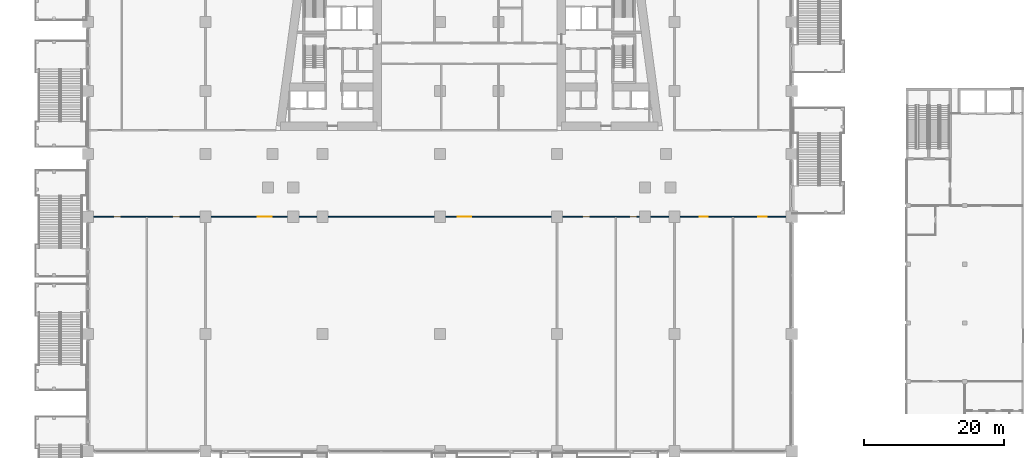
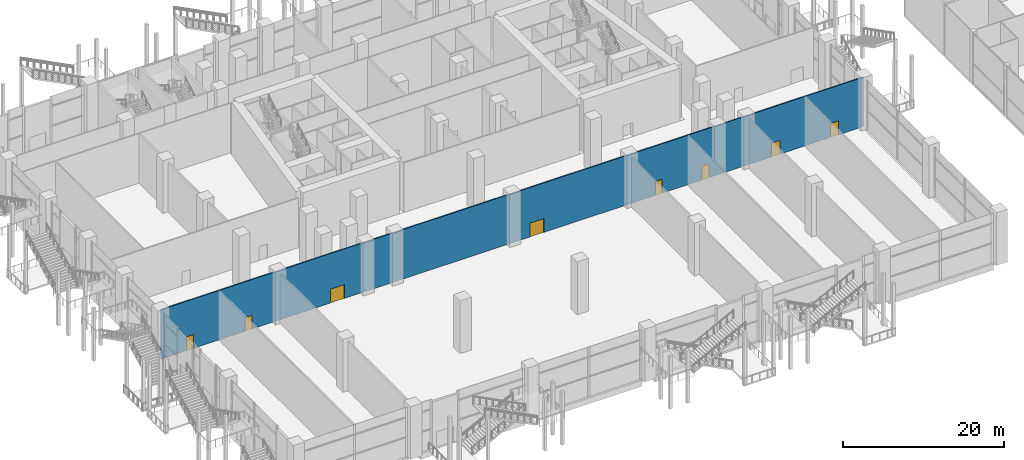
# One storey, part 24 of 52: 8 doors, 1 wall, 8 openings.
"""IFC4 building model written with IfcOpenShell, lengths in metres."""

import ifcopenshell
import ifcopenshell.guid

model = None  # the IFC model being written
_history = None  # IfcOwnerHistory: only IFC2X3 demands one
_inside = {}  # id of a spatial element -> (the spatial element, [elements in it])
_under = {}  # id of a project, library or spatial element -> (it, [spatial elements below it])
_declared = {}  # id of a project -> (the project, [libraries it declares])
_typed = {}  # id of a type object -> (the type object, [elements of that type])
_made_of = {}  # id of a material, layer set ... -> (it, [elements and type objects made of it])


def new_model(schema):
    """Start an empty IFC model of exactly this schema.

    Asked for "IFC4X3", IfcOpenShell would pick the latest addendum, in which some entities
    have other attributes; the version numbers below select the first issue.
    IFC2X3 requires an IfcOwnerHistory on every rooted entity: one is made here for all.
    """
    global model, _history
    if schema == "IFC4X3":
        model = ifcopenshell.file(schema_version=(4, 3, 0, 0))
    else:
        model = ifcopenshell.file(schema=schema)
    _inside.clear()
    _under.clear()
    _declared.clear()
    _typed.clear()
    _made_of.clear()
    _history = None
    if model.schema == "IFC2X3":
        org = make("IfcOrganization", Name="unknown")
        user = make(
            "IfcPersonAndOrganization",
            ThePerson=make("IfcPerson", FamilyName="unknown"),
            TheOrganization=org,
        )
        app = make(
            "IfcApplication",
            ApplicationDeveloper=org,
            Version="unknown",
            ApplicationFullName="unknown",
            ApplicationIdentifier="unknown",
        )
        _history = make(
            "IfcOwnerHistory",
            OwningUser=user,
            OwningApplication=app,
            ChangeAction="ADDED",
            CreationDate=0,
        )
    return model


def make(cls, **values):
    """One entity of the class cls with the attributes given. An attribute that is None is left unset."""
    return model.create_entity(
        cls, **{name: value for name, value in values.items() if value is not None}
    )


def rooted(cls, **values):
    """An entity with a GlobalId (a new one), such as an element, a storey or a relation."""
    return make(cls, GlobalId=ifcopenshell.guid.new(), OwnerHistory=_history, **values)


def si_unit(unit_type, name, prefix=None):
    """IfcSIUnit, for example si_unit("LENGTHUNIT", "METRE", prefix="MILLI")."""
    return make("IfcSIUnit", UnitType=unit_type, Prefix=prefix, Name=name)


def assignment(units):
    """IfcUnitAssignment: the units of a project."""
    return None if units is None else make("IfcUnitAssignment", Units=units)


def point(xyz):
    """IfcCartesianPoint."""
    return None if xyz is None else make("IfcCartesianPoint", Coordinates=xyz)


def direction(xyz):
    """IfcDirection."""
    return None if xyz is None else make("IfcDirection", DirectionRatios=xyz)


def frame(location, z_axis=None, x_axis=None):
    """IfcAxis2Placement3D, a coordinate frame: its origin and axes. An axis left out is left unset."""
    return make(
        "IfcAxis2Placement3D",
        Location=point(location),
        Axis=direction(z_axis),
        RefDirection=direction(x_axis),
    )


def frame_2d(location, x_axis=None):
    """IfcAxis2Placement2D, a coordinate frame in the plane: its origin and x axis."""
    return make(
        "IfcAxis2Placement2D", Location=point(location), RefDirection=direction(x_axis)
    )


def origin():
    """The frame at (0, 0, 0) with its axes left unset."""
    return frame((0.0, 0.0, 0.0))


def place(relative_to, where):
    """IfcLocalPlacement: puts the frame where relative to a parent placement (None: the world)."""
    return make(
        "IfcLocalPlacement", PlacementRelTo=relative_to, RelativePlacement=where
    )


def context(
    kind, dimensions, precision=None, world=None, true_north=None, identifier=None
):
    """IfcGeometricRepresentationContext, for example the 3D "Model" context."""
    return make(
        "IfcGeometricRepresentationContext",
        ContextIdentifier=identifier,
        ContextType=kind,
        CoordinateSpaceDimension=dimensions,
        Precision=precision,
        WorldCoordinateSystem=world,
        TrueNorth=true_north,
    )


def subcontext(parent, identifier, kind, view, scale=None):
    """IfcGeometricRepresentationSubContext, for example "Body" below "Model"."""
    return make(
        "IfcGeometricRepresentationSubContext",
        ContextIdentifier=identifier,
        ContextType=kind,
        ParentContext=parent,
        TargetScale=scale,
        TargetView=view,
    )


def project(units=None, contexts=None):
    """IfcProject with its units and contexts."""
    return rooted(
        "IfcProject",
        Name="project",
        RepresentationContexts=contexts,
        UnitsInContext=assignment(units),
    )


def spatial(cls, under=None, at=None, **own):
    """A site, building, storey or space (cls), placed at a placement, below another one or the project."""
    s = rooted(cls, ObjectPlacement=at, **own)
    if under is not None:
        _under.setdefault(under.id(), (under, []))[1].append(s)
    return s


def profile(cls, at=None, kind="AREA", **sizes):
    """A parametric profile (cls). Its sizes go by their IFC names, for example OverallWidth=200.0."""
    return make(cls, ProfileType=kind, Position=at, **sizes)


def rectangle(**sizes):
    """IfcRectangleProfileDef."""
    return profile("IfcRectangleProfileDef", **sizes)


def extrude(swept, where, along, depth):
    """IfcExtrudedAreaSolid: the profile swept, set in the frame where, extruded along a direction by depth."""
    return make(
        "IfcExtrudedAreaSolid",
        SweptArea=swept,
        Position=where,
        ExtrudedDirection=direction(along),
        Depth=depth,
    )


def shape(context_of_items, identifier, shape_type, items):
    """IfcShapeRepresentation: the items that make up one representation, for example the "Body"."""
    return make(
        "IfcShapeRepresentation",
        ContextOfItems=context_of_items,
        RepresentationIdentifier=identifier,
        RepresentationType=shape_type,
        Items=items,
    )


def material(Name=None, Category=None):
    """IfcMaterial."""
    return make("IfcMaterial", Name=Name, Category=Category)


def layer(
    of_material, thickness, ventilated=None, Name=None, Category=None, Priority=None
):
    """IfcMaterialLayer: one layer of a wall or slab, of a material (None: an air gap)."""
    return make(
        "IfcMaterialLayer",
        Material=of_material,
        LayerThickness=thickness,
        IsVentilated=ventilated,
        Name=Name,
        Category=Category,
        Priority=Priority,
    )


def layer_set(layers, Name=None):
    """IfcMaterialLayerSet."""
    return make("IfcMaterialLayerSet", MaterialLayers=layers, LayerSetName=Name)


def made_of(thing, what):
    """Note that an element or type object is made of a material, layer set ...; save() writes the relation."""
    if what is not None:
        _made_of.setdefault(what.id(), (what, []))[1].append(thing)
    return thing


def type_object(cls, material=None, **own):
    """A type object (cls), such as IfcWallType, which elements share."""
    return made_of(rooted(cls, **own), material)


def element(
    cls,
    number,
    at=None,
    inside=None,
    cuts=None,
    type_object=None,
    material=None,
    context=None,
    identifier="Body",
    shape_type=None,
    held_by="IfcProductDefinitionShape",
    body=None,
    shapes=None,
    **own,
):
    """One element of the class cls, such as IfcWall. Its Tag is "e" and its number.

    at: its placement. inside: the storey or other place that contains it. cuts: it is an
    opening in that element (IfcRelVoidsElement). A single representation is given by context,
    identifier, shape_type and body (its items); several are given by shapes. held_by: the class
    of the entity that holds the representations. save() writes the other relations.
    """
    e = rooted(cls, Tag="e%d" % number, ObjectPlacement=at, **own)
    if body is not None:
        shapes = [shape(context, identifier, shape_type, body)]
    if shapes is not None:
        e.Representation = make(held_by, Representations=shapes)
    if inside is not None:
        _inside.setdefault(inside.id(), (inside, []))[1].append(e)
    if cuts is not None:
        rooted(
            "IfcRelVoidsElement", RelatingBuildingElement=cuts, RelatedOpeningElement=e
        )
    if type_object is not None:
        _typed.setdefault(type_object.id(), (type_object, []))[1].append(e)
    return made_of(e, material)


def fill(opening, filler):
    """IfcRelFillsElement: the door or window that sits in an opening."""
    return rooted(
        "IfcRelFillsElement",
        RelatingOpeningElement=opening,
        RelatedBuildingElement=filler,
    )


def aggregate(whole, parts):
    """IfcRelAggregates: a whole, such as a stair, and the parts it consists of."""
    return rooted("IfcRelAggregates", RelatingObject=whole, RelatedObjects=parts)


def save(model, path):
    """Write the relations noted so far, then the file.

    IfcRelAggregates (storeys below a building ...), IfcRelContainedInSpatialStructure (elements
    in a storey), IfcRelDefinesByType, IfcRelAssociatesMaterial and IfcRelDeclares: one each for
    every whole, place, type object, material and project.
    """
    for whole, parts in _under.values():
        aggregate(whole, parts)
    for where, things in _inside.values():
        rooted(
            "IfcRelContainedInSpatialStructure",
            RelatedElements=things,
            RelatingStructure=where,
        )
    for kind, things in _typed.values():
        rooted("IfcRelDefinesByType", RelatedObjects=things, RelatingType=kind)
    for what, things in _made_of.values():
        rooted("IfcRelAssociatesMaterial", RelatedObjects=things, RelatingMaterial=what)
    for by, libraries in _declared.values():
        rooted("IfcRelDeclares", RelatingContext=by, RelatedDefinitions=libraries)
    model.write(path)


model = new_model("IFC4")

# Units and contexts
model_context = context("Model", 3, precision=1e-05, world=origin(), true_north=direction((0.0, 1.0)))
body_context = subcontext(model_context, "Body", "Model", "MODEL_VIEW")
ifc_project = project(units=[si_unit("LENGTHUNIT", "METRE"), si_unit("AREAUNIT", "SQUARE_METRE"), si_unit("VOLUMEUNIT", "CUBIC_METRE"), si_unit("PLANEANGLEUNIT", "RADIAN"), si_unit("MASSUNIT", "GRAM", prefix="KILO")], contexts=[model_context])

# Site, building, storey
site_placement = place(None, origin())
site = spatial("IfcSite", under=ifc_project, at=site_placement, CompositionType="ELEMENT")
building_placement = place(site_placement, origin())
building = spatial("IfcBuilding", under=site, at=building_placement, Name="Candeia Pilgrim Tower and Theatre", CompositionType="ELEMENT")
storey_placement = place(building_placement, frame((0.0, 0.0, 9.0)))
storey = spatial("IfcBuildingStorey", under=building, at=storey_placement, Name="L01", CompositionType="ELEMENT", Elevation=9.0)

# Wall, openings, doors
ifc_material_1 = material(Name="Gypsum board partition on steel studs", Category="steel")
ifc_layer = layer(ifc_material_1, 0.14990234375)
ifc_layer_set = layer_set([ifc_layer], Name="PW-150 lobby wall")
wall_type = type_object("IfcWallType", Name="PW-150 lobby wall", PredefinedType="PARTITIONING", material=ifc_layer_set)
wall_placement = place(storey_placement, frame((58.85009765625, 98.0, 0.0), z_axis=(0.0, 0.0, 1.0), x_axis=(1.0, 0.0, 0.0)))
wall = element("IfcWall", 1, at=wall_placement, inside=storey, type_object=wall_type, Name="Lobby wall L01-001", PredefinedType="PARTITIONING", context=body_context, shape_type="SweptSolid", body=[
    extrude(rectangle(XDim=100.699951171875, YDim=0.14990234375, at=frame_2d((50.35009765625, 0.0))), origin(), (0.0, 0.0, 1.0), 7.5),
])
opening_1_placement = place(wall_placement, frame((3.64990234375, 0.0, 0.0)))
opening_1 = element("IfcOpeningElement", 2, at=opening_1_placement, cuts=wall, Name="Opening L01-D001", PredefinedType="OPENING", context=body_context, shape_type="SweptSolid", body=[
    extrude(rectangle(XDim=1.0, YDim=2.10009765625, at=frame_2d((0.5, 1.050048828125))), frame((0.0, 0.0849609375, 0.0), z_axis=(0.0, -1.0, 0.0), x_axis=(1.0, 0.0, 0.0)), (0.0, 0.0, 1.0), 0.169921875),
])
opening_2_placement = place(wall_placement, frame((12.050048828125, 0.0, 0.0)))
opening_2 = element("IfcOpeningElement", 3, at=opening_2_placement, cuts=wall, Name="Opening L01-D002", PredefinedType="OPENING", context=body_context, shape_type="SweptSolid", body=[
    extrude(rectangle(XDim=1.0, YDim=2.10009765625, at=frame_2d((0.5, 1.050048828125))), frame((0.0, 0.0849609375, 0.0), z_axis=(0.0, -1.0, 0.0), x_axis=(1.0, 0.0, 0.0)), (0.0, 0.0, 1.0), 0.169921875),
])
opening_3_placement = place(wall_placement, frame((24.2548828125, 0.0, 0.0)))
opening_3 = element("IfcOpeningElement", 4, at=opening_3_placement, cuts=wall, Name="Opening L01-D003", PredefinedType="OPENING", context=body_context, shape_type="SweptSolid", body=[
    extrude(rectangle(XDim=2.0, YDim=2.10009765625, at=frame_2d((1.0, 1.050048828125))), frame((0.0, 0.0849609375, 0.0), z_axis=(0.0, -1.0, 0.0), x_axis=(1.0, 0.0, 0.0)), (0.0, 0.0, 1.0), 0.169921875),
])
opening_4_placement = place(wall_placement, frame((52.875, 0.0, 0.0)))
opening_4 = element("IfcOpeningElement", 5, at=opening_4_placement, cuts=wall, Name="Opening L01-D004", PredefinedType="OPENING", context=body_context, shape_type="SweptSolid", body=[
    extrude(rectangle(XDim=2.0, YDim=2.10009765625, at=frame_2d((1.0, 1.050048828125))), frame((0.0, 0.0849609375, 0.0), z_axis=(0.0, -1.0, 0.0), x_axis=(1.0, 0.0, 0.0)), (0.0, 0.0, 1.0), 0.169921875),
])
opening_5_placement = place(wall_placement, frame((70.85009765625, 0.0, 0.0)))
opening_5 = element("IfcOpeningElement", 6, at=opening_5_placement, cuts=wall, Name="Opening L01-D005", PredefinedType="OPENING", context=body_context, shape_type="SweptSolid", body=[
    extrude(rectangle(XDim=1.0, YDim=2.10009765625, at=frame_2d((0.5, 1.050048828125))), frame((0.0, 0.0849609375, 0.0), z_axis=(0.0, -1.0, 0.0), x_axis=(1.0, 0.0, 0.0)), (0.0, 0.0, 1.0), 0.169921875),
])
opening_6_placement = place(wall_placement, frame((77.574951171875, 0.0, 0.0)))
opening_6 = element("IfcOpeningElement", 7, at=opening_6_placement, cuts=wall, Name="Opening L01-D006", PredefinedType="OPENING", context=body_context, shape_type="SweptSolid", body=[
    extrude(rectangle(XDim=1.0, YDim=2.10009765625, at=frame_2d((0.5, 1.050048828125))), frame((0.0, 0.0849609375, 0.0), z_axis=(0.0, -1.0, 0.0), x_axis=(1.0, 0.0, 0.0)), (0.0, 0.0, 1.0), 0.169921875),
])
opening_7_placement = place(wall_placement, frame((87.550048828125, 0.0, 0.0)))
opening_7 = element("IfcOpeningElement", 8, at=opening_7_placement, cuts=wall, Name="Opening L01-D007", PredefinedType="OPENING", context=body_context, shape_type="SweptSolid", body=[
    extrude(rectangle(XDim=1.199951171875, YDim=2.10009765625, at=frame_2d((0.60009765625, 1.050048828125))), frame((0.0, 0.0849609375, 0.0), z_axis=(0.0, -1.0, 0.0), x_axis=(1.0, 0.0, 0.0)), (0.0, 0.0, 1.0), 0.169921875),
])
opening_8_placement = place(wall_placement, frame((95.949951171875, 0.0, 0.0)))
opening_8 = element("IfcOpeningElement", 9, at=opening_8_placement, cuts=wall, Name="Opening L01-D008", PredefinedType="OPENING", context=body_context, shape_type="SweptSolid", body=[
    extrude(rectangle(XDim=1.199951171875, YDim=2.10009765625, at=frame_2d((0.60009765625, 1.050048828125))), frame((0.0, 0.0849609375, 0.0), z_axis=(0.0, -1.0, 0.0), x_axis=(1.0, 0.0, 0.0)), (0.0, 0.0, 1.0), 0.169921875),
])
ifc_material_2 = material(Name="Steel fire door set", Category="steel")
door_type_1 = type_object("IfcDoorType", Name="D-1000-FD30S", OperationType="NOTDEFINED", PredefinedType="DOOR", material=ifc_material_2)
door_1_placement = place(opening_1_placement, origin())
door_1 = element("IfcDoor", 10, at=door_1_placement, inside=storey, type_object=door_type_1, Name="Door L01-D001", OperationType="SINGLE_SWING_RIGHT", OverallHeight=2.10009765625, OverallWidth=1.0, PredefinedType="DOOR", context=body_context, shape_type="SweptSolid", body=[
    extrude(rectangle(XDim=1.0, YDim=2.10009765625, at=frame_2d((0.5, 1.050048828125))), frame((0.0, 0.02490234375, 0.0), z_axis=(0.0, -1.0, 0.0), x_axis=(1.0, 0.0, 0.0)), (0.0, 0.0, 1.0), 0.050048828125),
])
fill(opening_1, door_1)
door_2_placement = place(opening_2_placement, origin())
door_2 = element("IfcDoor", 11, at=door_2_placement, inside=storey, type_object=door_type_1, Name="Door L01-D002", OperationType="SINGLE_SWING_LEFT", OverallHeight=2.10009765625, OverallWidth=1.0, PredefinedType="DOOR", context=body_context, shape_type="SweptSolid", body=[
    extrude(rectangle(XDim=1.0, YDim=2.10009765625, at=frame_2d((0.5, 1.050048828125))), frame((0.0, 0.02490234375, 0.0), z_axis=(0.0, -1.0, 0.0), x_axis=(1.0, 0.0, 0.0)), (0.0, 0.0, 1.0), 0.050048828125),
])
fill(opening_2, door_2)
door_3_placement = place(opening_5_placement, origin())
door_3 = element("IfcDoor", 12, at=door_3_placement, inside=storey, type_object=door_type_1, Name="Door L01-D005", OperationType="SINGLE_SWING_RIGHT", OverallHeight=2.10009765625, OverallWidth=1.0, PredefinedType="DOOR", context=body_context, shape_type="SweptSolid", body=[
    extrude(rectangle(XDim=1.0, YDim=2.10009765625, at=frame_2d((0.5, 1.050048828125))), frame((0.0, 0.02490234375, 0.0), z_axis=(0.0, -1.0, 0.0), x_axis=(1.0, 0.0, 0.0)), (0.0, 0.0, 1.0), 0.050048828125),
])
fill(opening_5, door_3)
door_4_placement = place(opening_6_placement, origin())
door_4 = element("IfcDoor", 13, at=door_4_placement, inside=storey, type_object=door_type_1, Name="Door L01-D006", OperationType="SINGLE_SWING_LEFT", OverallHeight=2.10009765625, OverallWidth=1.0, PredefinedType="DOOR", context=body_context, shape_type="SweptSolid", body=[
    extrude(rectangle(XDim=1.0, YDim=2.10009765625, at=frame_2d((0.5, 1.050048828125))), frame((0.0, 0.02490234375, 0.0), z_axis=(0.0, -1.0, 0.0), x_axis=(1.0, 0.0, 0.0)), (0.0, 0.0, 1.0), 0.050048828125),
])
fill(opening_6, door_4)
door_type_2 = type_object("IfcDoorType", Name="D-1200-FD30S", OperationType="NOTDEFINED", PredefinedType="DOOR", material=ifc_material_2)
door_5_placement = place(opening_7_placement, origin())
door_5 = element("IfcDoor", 14, at=door_5_placement, inside=storey, type_object=door_type_2, Name="Door L01-D007", OperationType="SINGLE_SWING_RIGHT", OverallHeight=2.10009765625, OverallWidth=1.199951171875, PredefinedType="DOOR", context=body_context, shape_type="SweptSolid", body=[
    extrude(rectangle(XDim=1.199951171875, YDim=2.10009765625, at=frame_2d((0.60009765625, 1.050048828125))), frame((0.0, 0.02490234375, 0.0), z_axis=(0.0, -1.0, 0.0), x_axis=(1.0, 0.0, 0.0)), (0.0, 0.0, 1.0), 0.050048828125),
])
fill(opening_7, door_5)
door_6_placement = place(opening_8_placement, origin())
door_6 = element("IfcDoor", 15, at=door_6_placement, inside=storey, type_object=door_type_2, Name="Door L01-D008", OperationType="SINGLE_SWING_LEFT", OverallHeight=2.10009765625, OverallWidth=1.199951171875, PredefinedType="DOOR", context=body_context, shape_type="SweptSolid", body=[
    extrude(rectangle(XDim=1.199951171875, YDim=2.10009765625, at=frame_2d((0.60009765625, 1.050048828125))), frame((0.0, 0.02490234375, 0.0), z_axis=(0.0, -1.0, 0.0), x_axis=(1.0, 0.0, 0.0)), (0.0, 0.0, 1.0), 0.050048828125),
])
fill(opening_8, door_6)
ifc_material_3 = material(Name="Steel exit door", Category="steel")
door_type_3 = type_object("IfcDoorType", Name="DX-2000-FD30S", OperationType="NOTDEFINED", PredefinedType="DOOR", material=ifc_material_3)
door_7_placement = place(opening_3_placement, origin())
door_7 = element("IfcDoor", 16, at=door_7_placement, inside=storey, type_object=door_type_3, Name="Door L01-D003", OperationType="SINGLE_SWING_RIGHT", OverallHeight=2.10009765625, OverallWidth=2.0, PredefinedType="DOOR", context=body_context, shape_type="SweptSolid", body=[
    extrude(rectangle(XDim=2.0, YDim=2.10009765625, at=frame_2d((1.0, 1.050048828125))), frame((0.0, 0.02490234375, 0.0), z_axis=(0.0, -1.0, 0.0), x_axis=(1.0, 0.0, 0.0)), (0.0, 0.0, 1.0), 0.050048828125),
])
fill(opening_3, door_7)
door_8_placement = place(opening_4_placement, origin())
door_8 = element("IfcDoor", 17, at=door_8_placement, inside=storey, type_object=door_type_3, Name="Door L01-D004", OperationType="SINGLE_SWING_LEFT", OverallHeight=2.10009765625, OverallWidth=2.0, PredefinedType="DOOR", context=body_context, shape_type="SweptSolid", body=[
    extrude(rectangle(XDim=2.0, YDim=2.10009765625, at=frame_2d((1.0, 1.050048828125))), frame((0.0, 0.02490234375, 0.0), z_axis=(0.0, -1.0, 0.0), x_axis=(1.0, 0.0, 0.0)), (0.0, 0.0, 1.0), 0.050048828125),
])
fill(opening_4, door_8)

save(model, "model.ifc")
